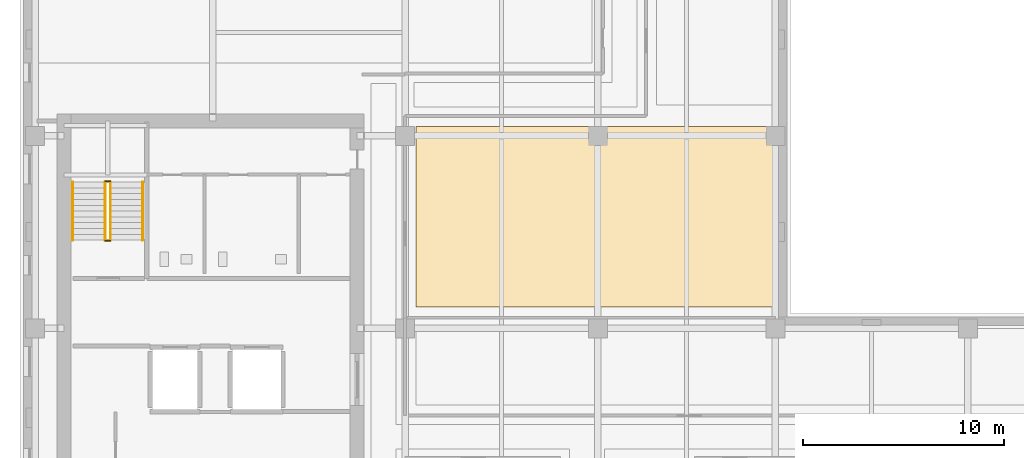
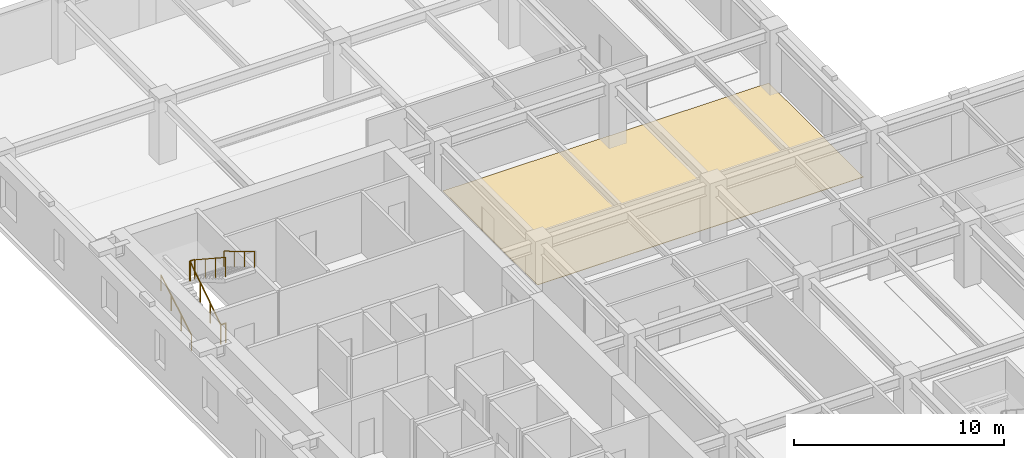
# One storey, part 12 of 14: 6 railings, 1 covering.
"""IFC4 building model written with IfcOpenShell, lengths in metres."""

from ifc_helpers import new_model, si_unit, direction, frame, origin, origin_2d, place, context, subcontext, project, spatial, polyline, circle, outline, extrude, material, layer, layer_set, type_object, element, save


model = new_model("IFC4")

# Units and contexts
model_context = context("Model", 3, precision=1e-05, world=origin(), true_north=direction((0.0, 1.0)))
body_context = subcontext(model_context, "Body", "Model", "MODEL_VIEW")
ifc_project = project(units=[si_unit("LENGTHUNIT", "METRE"), si_unit("AREAUNIT", "SQUARE_METRE"), si_unit("VOLUMEUNIT", "CUBIC_METRE"), si_unit("PLANEANGLEUNIT", "RADIAN"), si_unit("MASSUNIT", "GRAM", prefix="KILO")], contexts=[model_context])

# Site, building, storey
site_placement = place(None, origin())
site = spatial("IfcSite", under=ifc_project, at=site_placement, CompositionType="ELEMENT")
building_placement = place(site_placement, origin())
building = spatial("IfcBuilding", under=site, at=building_placement, Name="Norrvale University Quadrangle", CompositionType="ELEMENT")
storey_placement = place(building_placement, frame((0.0, 0.0, 156.0)))
storey = spatial("IfcBuildingStorey", under=building, at=storey_placement, Name="L39", CompositionType="ELEMENT", Elevation=156.0)

# Covering
ifc_material_1 = material(Name="Polished Terrazzo Flooring")
ifc_layer = layer(ifc_material_1, 0.02490234375, Name="Polished Terrazzo Flooring")
ifc_layer_set = layer_set([ifc_layer], Name="Polished Terrazzo Flooring")
covering_type = type_object("IfcCoveringType", Name="Covering Terrazzo Floor 30", PredefinedType="FLOORING", material=ifc_layer_set)
covering_placement = place(storey_placement, origin())
element("IfcCovering", 1, at=covering_placement, inside=storey, type_object=covering_type, Name="Terrazzo Flooring RM-L39-MNE01", PredefinedType="FLOORING", context=body_context, shape_type="SweptSolid", body=[
    extrude(outline(polyline([(19.72998046875, 47.719970703125), (37.64990234375, 47.719970703125), (37.64990234375, 38.7099609375), (19.72998046875, 38.7099609375), (19.72998046875, 47.719970703125)])), origin(), (0.0, 0.0, 1.0), 0.02490234375),
])

# Railings
ifc_material_2 = material(Name="Steel 350W Painted Balustrade", Category="steel")
railing_type_1 = type_object("IfcRailingType", Name="Railing Stair Guard 1100", PredefinedType="GUARDRAIL", material=ifc_material_2)
for number, where, name in (
    (2, (4.239990234375, 42.02001953125, 0.0), "Stair Floor Well Guard ST-02 L39"),
    (3, (4.239990234375, 44.97998046875, 1.89990234375), "Stair Mid-Landing Slot Guard ST-02 L39"),
):
    element("IfcRailing", number, at=place(storey_placement, frame(where)), inside=storey, type_object=railing_type_1, Name=name, PredefinedType="GUARDRAIL", context=body_context, shape_type="SweptSolid", body=[
        extrude(circle(Radius=0.02392578125, at=origin_2d()), frame((0.0, 0.0, 1.1259765625), z_axis=(1.0, 0.0, 0.0), x_axis=(0.0, 1.0, 0.0)), (0.0, 0.0, 1.0), 0.27001953125),
        extrude(circle(Radius=0.02099609375, at=origin_2d()), origin(), (0.0, 0.0, 1.0), 1.101806640625),
        extrude(circle(Radius=0.02099609375, at=origin_2d()), frame((0.27001953125, 0.0, 0.0)), (0.0, 0.0, 1.0), 1.101806640625),
    ])
railing_1_placement = place(storey_placement, frame((4.239990234375, 42.050048828125, 0.0)))
element("IfcRailing", 4, at=railing_1_placement, inside=storey, type_object=railing_type_1, Name="Stair Lower Flight Inner Guard ST-02 L39", PredefinedType="GUARDRAIL", context=body_context, shape_type="SweptSolid", body=[
    extrude(circle(Radius=0.02392578125, at=origin_2d()), frame((0.0, 0.0, 1.1259765625), z_axis=(0.0, 0.836465582154, 0.548019461216), x_axis=(-1.0, 0.0, 0.0)), (0.0, 0.0, 1.0), 3.466796875),
    extrude(circle(Radius=0.02099609375, at=origin_2d()), origin(), (0.0, 0.0, 1.0), 1.101806640625),
    extrude(circle(Radius=0.02099609375, at=origin_2d()), frame((0.0, 0.966552734375, 0.63330078125)), (0.0, 0.0, 1.0), 1.101806640625),
    extrude(circle(Radius=0.02099609375, at=origin_2d()), frame((0.0, 1.933349609375, 1.2666015625)), (0.0, 0.0, 1.0), 1.101806640625),
    extrude(circle(Radius=0.02099609375, at=origin_2d()), frame((0.0, 2.89990234375, 1.89990234375)), (0.0, 0.0, 1.0), 1.101806640625),
])
railing_2_placement = place(storey_placement, frame((4.510009765625, 44.949951171875, 1.89990234375)))
element("IfcRailing", 5, at=railing_2_placement, inside=storey, type_object=railing_type_1, Name="Stair Upper Flight Inner Guard ST-02 L39", PredefinedType="GUARDRAIL", context=body_context, shape_type="SweptSolid", body=[
    extrude(circle(Radius=0.02392578125, at=origin_2d()), frame((0.0, 0.0, 1.1259765625), z_axis=(0.0, -0.836433300813, 0.548068730445), x_axis=(1.0, 0.0, 0.0)), (0.0, 0.0, 1.0), 3.467041015625),
    extrude(circle(Radius=0.02099609375, at=origin_2d()), origin(), (0.0, 0.0, 1.0), 1.101806640625),
    extrude(circle(Radius=0.02099609375, at=origin_2d()), frame((0.0, -0.966552734375, 0.63330078125)), (0.0, 0.0, 1.0), 1.101806640625),
    extrude(circle(Radius=0.02099609375, at=origin_2d()), frame((0.0, -1.933349609375, 1.266845703125)), (0.0, 0.0, 1.0), 1.101806640625),
    extrude(circle(Radius=0.02099609375, at=origin_2d()), frame((0.0, -2.89990234375, 1.900146484375)), (0.0, 0.0, 1.0), 1.101806640625),
])
ifc_material_3 = material(Name="Stainless Steel 316L Handrail", Category="steel")
railing_type_2 = type_object("IfcRailingType", Name="Railing Stair Handrail 920", PredefinedType="HANDRAIL", material=ifc_material_3)
railing_3_placement = place(storey_placement, frame((2.639892578125, 42.050048828125, 0.172607421875)))
element("IfcRailing", 6, at=railing_3_placement, inside=storey, type_object=railing_type_2, Name="Stair Lower Flight Handrail ST-02 L39", PredefinedType="HANDRAIL", context=body_context, shape_type="SweptSolid", body=[
    extrude(circle(Radius=0.02392578125, at=origin_2d()), frame((0.0, 0.0, 0.89599609375), z_axis=(0.0, 0.859141464434, 0.511738159696), x_axis=(-1.0, 0.0, 0.0)), (0.0, 0.0, 1.0), 3.375244140625),
    extrude(circle(Radius=0.02099609375, at=origin_2d()), origin(), (0.0, 0.0, 1.0), 0.871826171875),
    extrude(circle(Radius=0.02099609375, at=origin_2d()), frame((0.0, 0.966552734375, 0.57568359375)), (0.0, 0.0, 1.0), 0.871826171875),
    extrude(circle(Radius=0.02099609375, at=origin_2d()), frame((0.0, 1.933349609375, 1.151611328125)), (0.0, 0.0, 1.0), 0.871826171875),
    extrude(circle(Radius=0.02099609375, at=origin_2d()), frame((0.0, 2.89990234375, 1.727294921875)), (0.0, 0.0, 1.0), 0.871826171875),
])
railing_4_placement = place(storey_placement, frame((6.110107421875, 44.949951171875, 2.07275390625)))
element("IfcRailing", 7, at=railing_4_placement, inside=storey, type_object=railing_type_2, Name="Stair Upper Flight Handrail ST-02 L39", PredefinedType="HANDRAIL", context=body_context, shape_type="SweptSolid", body=[
    extrude(circle(Radius=0.02392578125, at=origin_2d()), frame((0.0, 0.0, 0.89599609375), z_axis=(0.0, -0.859141464434, 0.511738159696), x_axis=(1.0, 0.0, 0.0)), (0.0, 0.0, 1.0), 3.375244140625),
    extrude(circle(Radius=0.02099609375, at=origin_2d()), origin(), (0.0, 0.0, 1.0), 0.871826171875),
    extrude(circle(Radius=0.02099609375, at=origin_2d()), frame((0.0, -0.966552734375, 0.57568359375)), (0.0, 0.0, 1.0), 0.871826171875),
    extrude(circle(Radius=0.02099609375, at=origin_2d()), frame((0.0, -1.933349609375, 1.151611328125)), (0.0, 0.0, 1.0), 0.871826171875),
    extrude(circle(Radius=0.02099609375, at=origin_2d()), frame((0.0, -2.89990234375, 1.727294921875)), (0.0, 0.0, 1.0), 0.871826171875),
])

save(model, "model.ifc")
